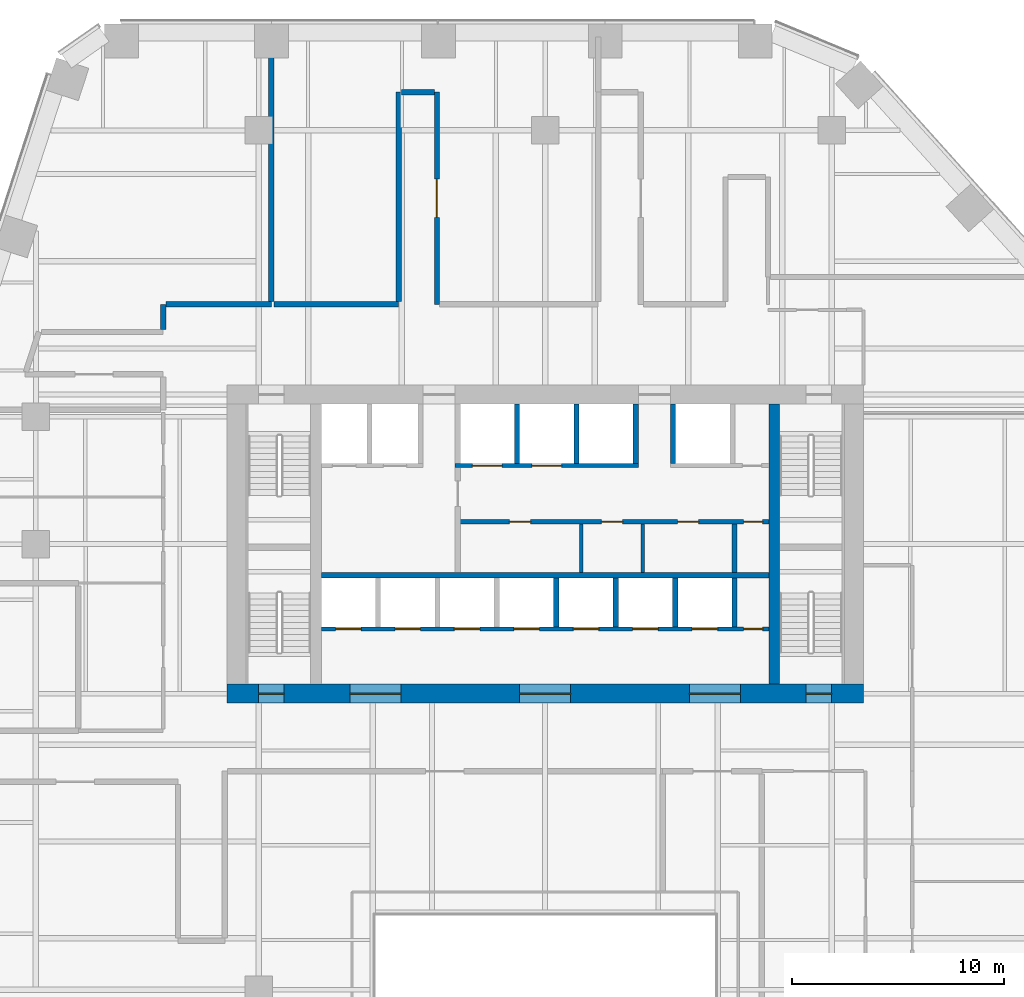
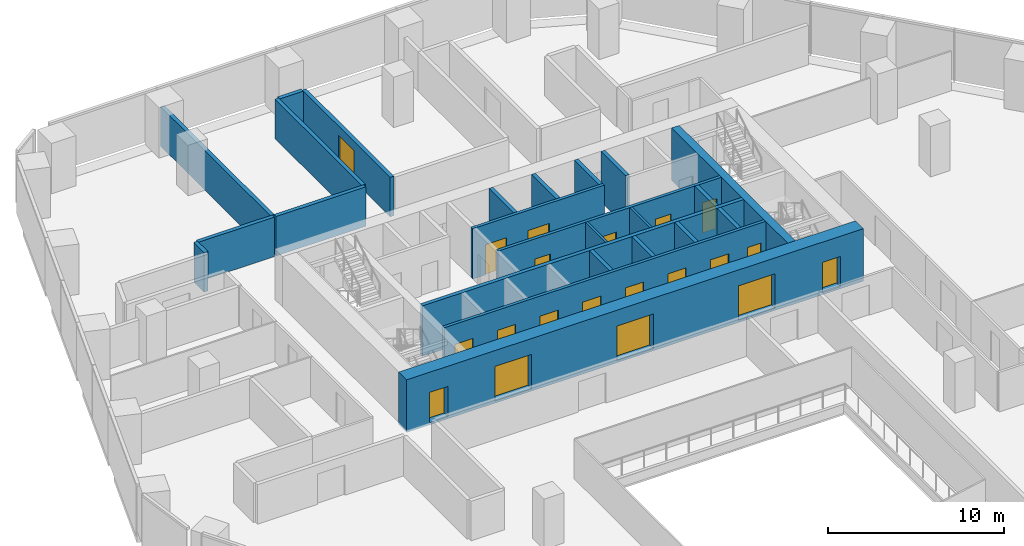
# One storey, part 15 of 21: 24 walls, 20 doors, 20 openings.
"""IFC4 building model written with IfcOpenShell, lengths in metres."""

from ifc_helpers import new_model, si_unit, direction, frame, frame_2d, origin, place, context, subcontext, project, spatial, rectangle, extrude, material, layer, layer_set, type_object, element, fill, save


model = new_model("IFC4")

# Units and contexts
model_context = context("Model", 3, precision=1e-05, world=origin(), true_north=direction((0.0, 1.0)))
body_context = subcontext(model_context, "Body", "Model", "MODEL_VIEW")
ifc_project = project(units=[si_unit("LENGTHUNIT", "METRE"), si_unit("AREAUNIT", "SQUARE_METRE"), si_unit("VOLUMEUNIT", "CUBIC_METRE"), si_unit("PLANEANGLEUNIT", "RADIAN"), si_unit("MASSUNIT", "GRAM", prefix="KILO")], contexts=[model_context])

# Site, building, storey
site_placement = place(None, origin())
site = spatial("IfcSite", under=ifc_project, at=site_placement, CompositionType="ELEMENT")
building_placement = place(site_placement, origin())
building = spatial("IfcBuilding", under=site, at=building_placement, Name="Isthmus Gate Tower", CompositionType="ELEMENT")
storey_placement = place(building_placement, frame((0.0, 0.0, 106.199951171875)))
storey = spatial("IfcBuildingStorey", under=building, at=storey_placement, Name="L25", CompositionType="ELEMENT", Elevation=106.199951171875)

# Wall, opening, door
ifc_material_1 = material(Name="Double-leaf acoustic stud wall, fire-rated", Category="gypsum")
ifc_layer_1 = layer(ifc_material_1, 0.25)
ifc_layer_set_1 = layer_set([ifc_layer_1], Name="ACOUSTIC WALL 250 60 MIN")
wall_type_1 = type_object("IfcWallType", Name="ACOUSTIC WALL 250 60 MIN", PredefinedType="PARTITIONING", material=ifc_layer_set_1)
wall_1_placement = place(storey_placement, frame((-5.10009765625, 28.800048828125, 0.0), z_axis=(0.0, 0.0, 1.0), x_axis=(0.0, -1.0, 0.0)))
wall_1 = element("IfcWall", 1, at=wall_1_placement, inside=storey, type_object=wall_type_1, Name="L25 Acoustic Wall 250 60 Min", PredefinedType="PARTITIONING", context=body_context, shape_type="SweptSolid", body=[
    extrude(rectangle(XDim=10.0, YDim=0.25, at=frame_2d((5.0, 0.0))), origin(), (0.0, 0.0, 1.0), 2.7412109375),
])
opening_1_placement = place(wall_1_placement, frame((4.10009765625, 0.0, 0.0)))
opening_1 = element("IfcOpeningElement", 2, at=opening_1_placement, cuts=wall_1, Name="Opening DT-T2C-02", PredefinedType="OPENING", context=body_context, shape_type="SweptSolid", body=[
    extrude(rectangle(XDim=1.800048828125, YDim=2.10009765625, at=frame_2d((0.89990234375, 1.050048828125))), frame((0.0, 0.135009765625, 0.0), z_axis=(0.0, -1.0, 0.0), x_axis=(1.0, 0.0, 0.0)), (0.0, 0.0, 1.0), 0.27001953125),
])
ifc_material_2 = material(Name="Solid core timber door leaf, fire-rated", Category="wood")
door_type_1 = type_object("IfcDoorType", Name="FIRE DOOR ACOUSTIC ROOM 1800 X 2100 60 MIN", OperationType="DOUBLE_DOOR_DOUBLE_SWING", PredefinedType="DOOR", material=ifc_material_2)
door_1_placement = place(opening_1_placement, origin())
door_1 = element("IfcDoor", 3, at=door_1_placement, inside=storey, type_object=door_type_1, Name="L25 room door", OperationType="DOUBLE_DOOR_DOUBLE_SWING", OverallHeight=2.10009765625, OverallWidth=1.800048828125, PredefinedType="DOOR", context=body_context, shape_type="SweptSolid", body=[
    extrude(rectangle(XDim=1.800048828125, YDim=2.10009765625, at=frame_2d((0.89990234375, 1.050048828125))), frame((0.0, 0.02490234375, 0.0), z_axis=(0.0, -1.0, 0.0), x_axis=(1.0, 0.0, 0.0)), (0.0, 0.0, 1.0), 0.050048828125),
])
fill(opening_1, door_1)

# Walls
wall_2_placement = place(storey_placement, frame((-18.0, 17.625, 0.0), z_axis=(0.0, 0.0, 1.0), x_axis=(0.0, 1.0, 0.0)))
element("IfcWall", 4, at=wall_2_placement, inside=storey, type_object=wall_type_1, Name="L25 Acoustic Wall 250 60 Min", PredefinedType="PARTITIONING", context=body_context, shape_type="SweptSolid", body=[
    extrude(rectangle(XDim=1.175048828125, YDim=0.25, at=frame_2d((0.58740234375, 0.0))), origin(), (0.0, 0.0, 1.0), 2.7412109375),
])
wall_3_placement = place(storey_placement, frame((-17.875, 18.800048828125, 0.0), z_axis=(0.0, 0.0, 1.0), x_axis=(1.0, 0.0, 0.0)))
element("IfcWall", 5, at=wall_3_placement, inside=storey, type_object=wall_type_1, Name="L25 Acoustic Wall 250 60 Min", PredefinedType="PARTITIONING", context=body_context, shape_type="SweptSolid", body=[
    extrude(rectangle(XDim=4.968017578125, YDim=0.25, at=frame_2d((2.48388671875, 0.0))), origin(), (0.0, 0.0, 1.0), 2.7412109375),
])
wall_4_placement = place(storey_placement, frame((-12.906982421875, 18.925048828125, 0.0), z_axis=(0.0, 0.0, 1.0), x_axis=(0.0, 1.0, 0.0)))
element("IfcWall", 6, at=wall_4_placement, inside=storey, type_object=wall_type_1, Name="L25 Acoustic Wall 250 60 Min", PredefinedType="PARTITIONING", context=body_context, shape_type="SweptSolid", body=[
    extrude(rectangle(XDim=12.474853515625, YDim=0.25, at=frame_2d((6.2373046875, 0.0))), origin(), (0.0, 0.0, 1.0), 2.7412109375),
])
wall_5_placement = place(storey_placement, frame((-12.781982421875, 18.800048828125, 0.0), z_axis=(0.0, 0.0, 1.0), x_axis=(1.0, 0.0, 0.0)))
element("IfcWall", 7, at=wall_5_placement, inside=storey, type_object=wall_type_1, Name="L25 Acoustic Wall 250 60 Min", PredefinedType="PARTITIONING", context=body_context, shape_type="SweptSolid", body=[
    extrude(rectangle(XDim=5.882080078125, YDim=0.25, at=frame_2d((2.94091796875, 0.0))), origin(), (0.0, 0.0, 1.0), 2.7412109375),
])
wall_6_placement = place(storey_placement, frame((-6.89990234375, 18.925048828125, 0.0), z_axis=(0.0, 0.0, 1.0), x_axis=(0.0, 1.0, 0.0)))
element("IfcWall", 8, at=wall_6_placement, inside=storey, type_object=wall_type_1, Name="L25 Acoustic Wall 250 60 Min", PredefinedType="PARTITIONING", context=body_context, shape_type="SweptSolid", body=[
    extrude(rectangle(XDim=9.875, YDim=0.25, at=frame_2d((4.9375, 0.0))), origin(), (0.0, 0.0, 1.0), 2.7412109375),
])
wall_7_placement = place(storey_placement, frame((-6.77490234375, 28.800048828125, 0.0), z_axis=(0.0, 0.0, 1.0), x_axis=(1.0, 0.0, 0.0)))
element("IfcWall", 9, at=wall_7_placement, inside=storey, type_object=wall_type_1, Name="L25 Acoustic Wall 250 60 Min", PredefinedType="PARTITIONING", context=body_context, shape_type="SweptSolid", body=[
    extrude(rectangle(XDim=1.5498046875, YDim=0.25, at=frame_2d((0.77490234375, 0.0))), origin(), (0.0, 0.0, 1.0), 2.7412109375),
])
ifc_material_3 = material(Name="Concrete f'c 70 MPa", Category="concrete")
ifc_layer_2 = layer(ifc_material_3, 0.5)
ifc_layer_set_2 = layer_set([ifc_layer_2], Name="RC CORE SPINE WALL 500 F'C 70")
wall_type_2 = type_object("IfcWallType", Name="RC CORE SPINE WALL 500 F'C 70", PredefinedType="SOLIDWALL", material=ifc_layer_set_2)
wall_8_placement = place(storey_placement, frame((10.800048828125, 0.89990234375, -0.14990234375), z_axis=(0.0, 0.0, 1.0), x_axis=(0.0, 1.0, 0.0)))
element("IfcWall", 10, at=wall_8_placement, inside=storey, type_object=wall_type_2, Name="str-corewall-L25-SPE", PredefinedType="SOLIDWALL", context=body_context, shape_type="SweptSolid", body=[
    extrude(rectangle(XDim=13.2001953125, YDim=0.5, at=frame_2d((6.60009765625, 0.0))), origin(), (0.0, 0.0, 1.0), 3.64990234375),
])

# Wall, openings, doors
ifc_material_4 = material(Name="Concrete f'c 70 MPa", Category="concrete")
ifc_layer_3 = layer(ifc_material_4, 0.89990234375)
ifc_layer_set_3 = layer_set([ifc_layer_3], Name="RC CORE WALL 900 F'C 70")
wall_type_3 = type_object("IfcWallType", Name="RC CORE WALL 900 F'C 70", PredefinedType="SOLIDWALL", material=ifc_layer_set_3)
wall_9_placement = place(storey_placement, frame((-15.0, 0.449951171875, -0.14990234375), z_axis=(0.0, 0.0, 1.0), x_axis=(1.0, 0.0, 0.0)))
wall_9 = element("IfcWall", 11, at=wall_9_placement, inside=storey, type_object=wall_type_3, Name="str-corewall-L25-S", PredefinedType="SOLIDWALL", context=body_context, shape_type="SweptSolid", body=[
    extrude(rectangle(XDim=30.0, YDim=0.89990234375, at=frame_2d((15.0, 0.0))), origin(), (0.0, 0.0, 1.0), 3.64990234375),
])
opening_2_placement = place(wall_9_placement, frame((5.800048828125, 0.0, 0.14990234375)))
opening_2 = element("IfcOpeningElement", 12, at=opening_2_placement, cuts=wall_9, Name="Opening DC-A02-08", PredefinedType="OPENING", context=body_context, shape_type="SweptSolid", body=[
    extrude(rectangle(XDim=2.39990234375, YDim=2.39990234375, at=frame_2d((1.199951171875, 1.199951171875))), frame((0.0, 0.4599609375, 0.0), z_axis=(0.0, -1.0, 0.0), x_axis=(1.0, 0.0, 0.0)), (0.0, 0.0, 1.0), 0.919921875),
])
opening_3_placement = place(wall_9_placement, frame((13.800048828125, 0.0, 0.14990234375)))
opening_3 = element("IfcOpeningElement", 13, at=opening_3_placement, cuts=wall_9, Name="Opening DC-A02-09", PredefinedType="OPENING", context=body_context, shape_type="SweptSolid", body=[
    extrude(rectangle(XDim=2.39990234375, YDim=2.39990234375, at=frame_2d((1.199951171875, 1.199951171875))), frame((0.0, 0.4599609375, 0.0), z_axis=(0.0, -1.0, 0.0), x_axis=(1.0, 0.0, 0.0)), (0.0, 0.0, 1.0), 0.919921875),
])
opening_4_placement = place(wall_9_placement, frame((21.800048828125, 0.0, 0.14990234375)))
opening_4 = element("IfcOpeningElement", 14, at=opening_4_placement, cuts=wall_9, Name="Opening DC-A02-10", PredefinedType="OPENING", context=body_context, shape_type="SweptSolid", body=[
    extrude(rectangle(XDim=2.39990234375, YDim=2.39990234375, at=frame_2d((1.199951171875, 1.199951171875))), frame((0.0, 0.4599609375, 0.0), z_axis=(0.0, -1.0, 0.0), x_axis=(1.0, 0.0, 0.0)), (0.0, 0.0, 1.0), 0.919921875),
])
opening_5_placement = place(wall_9_placement, frame((1.5, 0.0, 0.14990234375)))
opening_5 = element("IfcOpeningElement", 15, at=opening_5_placement, cuts=wall_9, Name="Opening DC-A02-15", PredefinedType="OPENING", context=body_context, shape_type="SweptSolid", body=[
    extrude(rectangle(XDim=1.199951171875, YDim=2.10009765625, at=frame_2d((0.60009765625, 1.050048828125))), frame((0.0, 0.4599609375, 0.0), z_axis=(0.0, -1.0, 0.0), x_axis=(1.0, 0.0, 0.0)), (0.0, 0.0, 1.0), 0.919921875),
])
opening_6_placement = place(wall_9_placement, frame((27.300048828125, 0.0, 0.14990234375)))
opening_6 = element("IfcOpeningElement", 16, at=opening_6_placement, cuts=wall_9, Name="Opening DC-A02-16", PredefinedType="OPENING", context=body_context, shape_type="SweptSolid", body=[
    extrude(rectangle(XDim=1.199951171875, YDim=2.10009765625, at=frame_2d((0.60009765625, 1.050048828125))), frame((0.0, 0.4599609375, 0.0), z_axis=(0.0, -1.0, 0.0), x_axis=(1.0, 0.0, 0.0)), (0.0, 0.0, 1.0), 0.919921875),
])
ifc_material_5 = material(Name="Laminated safety glass in steel frame, fire-rated", Category="steel")
door_type_2 = type_object("IfcDoorType", Name="LOBBY ENTRANCE FIRE DOOR 2400 X 2400 60 MIN", OperationType="DOUBLE_DOOR_DOUBLE_SWING", PredefinedType="DOOR", material=ifc_material_5)
door_2_placement = place(opening_2_placement, origin())
door_2 = element("IfcDoor", 17, at=door_2_placement, inside=storey, type_object=door_type_2, Name="Lobby Entrance PS-W", OperationType="DOUBLE_DOOR_DOUBLE_SWING", OverallHeight=2.39990234375, OverallWidth=2.39990234375, PredefinedType="DOOR", context=body_context, shape_type="SweptSolid", body=[
    extrude(rectangle(XDim=2.39990234375, YDim=2.39990234375, at=frame_2d((1.199951171875, 1.199951171875))), frame((0.0, 0.02490234375, 0.0), z_axis=(0.0, -1.0, 0.0), x_axis=(1.0, 0.0, 0.0)), (0.0, 0.0, 1.0), 0.050048828125),
])
fill(opening_2, door_2)
door_3_placement = place(opening_3_placement, origin())
door_3 = element("IfcDoor", 18, at=door_3_placement, inside=storey, type_object=door_type_2, Name="Lobby Entrance PS-C", OperationType="DOUBLE_DOOR_DOUBLE_SWING", OverallHeight=2.39990234375, OverallWidth=2.39990234375, PredefinedType="DOOR", context=body_context, shape_type="SweptSolid", body=[
    extrude(rectangle(XDim=2.39990234375, YDim=2.39990234375, at=frame_2d((1.199951171875, 1.199951171875))), frame((0.0, 0.02490234375, 0.0), z_axis=(0.0, -1.0, 0.0), x_axis=(1.0, 0.0, 0.0)), (0.0, 0.0, 1.0), 0.050048828125),
])
fill(opening_3, door_3)
door_4_placement = place(opening_4_placement, origin())
door_4 = element("IfcDoor", 19, at=door_4_placement, inside=storey, type_object=door_type_2, Name="Lobby Entrance PS-E", OperationType="DOUBLE_DOOR_DOUBLE_SWING", OverallHeight=2.39990234375, OverallWidth=2.39990234375, PredefinedType="DOOR", context=body_context, shape_type="SweptSolid", body=[
    extrude(rectangle(XDim=2.39990234375, YDim=2.39990234375, at=frame_2d((1.199951171875, 1.199951171875))), frame((0.0, 0.02490234375, 0.0), z_axis=(0.0, -1.0, 0.0), x_axis=(1.0, 0.0, 0.0)), (0.0, 0.0, 1.0), 0.050048828125),
])
fill(opening_4, door_4)
ifc_material_6 = material(Name="Steel door leaf, fire-rated", Category="steel")
door_type_3 = type_object("IfcDoorType", Name="STAIR FIRE DOOR 1200 X 2100 90 MIN", OperationType="SINGLE_SWING_LEFT", PredefinedType="DOOR", material=ifc_material_6)
door_5_placement = place(opening_5_placement, origin())
door_5 = element("IfcDoor", 20, at=door_5_placement, inside=storey, type_object=door_type_3, Name="Exit Stair 7 Door", OperationType="SINGLE_SWING_LEFT", OverallHeight=2.10009765625, OverallWidth=1.199951171875, PredefinedType="DOOR", context=body_context, shape_type="SweptSolid", body=[
    extrude(rectangle(XDim=1.199951171875, YDim=2.10009765625, at=frame_2d((0.60009765625, 1.050048828125))), frame((0.0, 0.02490234375, 0.0), z_axis=(0.0, -1.0, 0.0), x_axis=(1.0, 0.0, 0.0)), (0.0, 0.0, 1.0), 0.050048828125),
])
fill(opening_5, door_5)
door_6_placement = place(opening_6_placement, origin())
door_6 = element("IfcDoor", 21, at=door_6_placement, inside=storey, type_object=door_type_3, Name="Exit Stair 8 Door", OperationType="SINGLE_SWING_RIGHT", OverallHeight=2.10009765625, OverallWidth=1.199951171875, PredefinedType="DOOR", context=body_context, shape_type="SweptSolid", body=[
    extrude(rectangle(XDim=1.199951171875, YDim=2.10009765625, at=frame_2d((0.60009765625, 1.050048828125))), frame((0.0, 0.02490234375, 0.0), z_axis=(0.0, -1.0, 0.0), x_axis=(1.0, 0.0, 0.0)), (0.0, 0.0, 1.0), 0.050048828125),
])
fill(opening_6, door_6)

# Walls
ifc_material_7 = material(Name="Gypsum board on steel studs, fire-rated", Category="steel")
ifc_layer_4 = layer(ifc_material_7, 0.14990234375)
ifc_layer_set_4 = layer_set([ifc_layer_4], Name="ROOM PARTITION 150 60 MIN")
wall_type_4 = type_object("IfcWallType", Name="ROOM PARTITION 150 60 MIN", PredefinedType="PARTITIONING", material=ifc_layer_set_4)
for number, where, z_axis, x_axis, name in (
    (22, (1.699951171875, 6.14990234375, 0.0), (0.0, 0.0, 1.0), (0.0, 1.0, 0.0), "L25 ROOM PARTITION 150 60 MIN"),
    (23, (4.60009765625, 6.14990234375, 0.0), (0.0, 0.0, 1.0), (0.0, 1.0, 0.0), "L25 ROOM PARTITION 150 60 MIN"),
):
    element("IfcWall", number, at=place(storey_placement, frame(where, z_axis=z_axis, x_axis=x_axis)), inside=storey, type_object=wall_type_4, Name=name, PredefinedType="PARTITIONING", context=body_context, shape_type="SweptSolid", body=[
        extrude(rectangle(XDim=2.300048828125, YDim=0.14990234375, at=frame_2d((1.14990234375, 0.0))), origin(), (0.0, 0.0, 1.0), 3.5),
    ])

# Wall, openings, doors
ifc_material_8 = material(Name="Fire-rated blockwork masonry, 15 MPa", Category="masonry")
ifc_layer_5 = layer(ifc_material_8, 0.199951171875)
ifc_layer_set_5 = layer_set([ifc_layer_5], Name="SHAFT FRONT WALL 200 120 MIN")
wall_type_5 = type_object("IfcWallType", Name="SHAFT FRONT WALL 200 120 MIN", PredefinedType="PARTITIONING", material=ifc_layer_set_5)
wall_10_placement = place(storey_placement, frame((-10.550048828125, 3.5, 0.0), z_axis=(0.0, 0.0, 1.0), x_axis=(1.0, 0.0, 0.0)))
wall_10 = element("IfcWall", 24, at=wall_10_placement, inside=storey, type_object=wall_type_5, Name="L25 SHAFT FRONT WALL 200 120 MIN", PredefinedType="PARTITIONING", context=body_context, shape_type="SweptSolid", body=[
    extrude(rectangle(XDim=21.10009765625, YDim=0.199951171875, at=frame_2d((10.550048828125, 0.0))), origin(), (0.0, 0.0, 1.0), 3.5),
])
opening_7_placement = place(wall_10_placement, frame((0.675048828125, 0.0, 0.0)))
opening_7 = element("IfcOpeningElement", 25, at=opening_7_placement, cuts=wall_10, Name="Opening LD-LA1", PredefinedType="OPENING", context=body_context, shape_type="SweptSolid", body=[
    extrude(rectangle(XDim=1.199951171875, YDim=2.10009765625, at=frame_2d((0.60009765625, 1.050048828125))), frame((0.0, 0.10986328125, 0.0), z_axis=(0.0, -1.0, 0.0), x_axis=(1.0, 0.0, 0.0)), (0.0, 0.0, 1.0), 0.219970703125),
])
opening_8_placement = place(wall_10_placement, frame((3.47509765625, 0.0, 0.0)))
opening_8 = element("IfcOpeningElement", 26, at=opening_8_placement, cuts=wall_10, Name="Opening LD-LA2", PredefinedType="OPENING", context=body_context, shape_type="SweptSolid", body=[
    extrude(rectangle(XDim=1.199951171875, YDim=2.10009765625, at=frame_2d((0.60009765625, 1.050048828125))), frame((0.0, 0.10986328125, 0.0), z_axis=(0.0, -1.0, 0.0), x_axis=(1.0, 0.0, 0.0)), (0.0, 0.0, 1.0), 0.219970703125),
])
opening_9_placement = place(wall_10_placement, frame((6.27490234375, 0.0, 0.0)))
opening_9 = element("IfcOpeningElement", 27, at=opening_9_placement, cuts=wall_10, Name="Opening LD-LA3", PredefinedType="OPENING", context=body_context, shape_type="SweptSolid", body=[
    extrude(rectangle(XDim=1.199951171875, YDim=2.10009765625, at=frame_2d((0.60009765625, 1.050048828125))), frame((0.0, 0.10986328125, 0.0), z_axis=(0.0, -1.0, 0.0), x_axis=(1.0, 0.0, 0.0)), (0.0, 0.0, 1.0), 0.219970703125),
])
opening_10_placement = place(wall_10_placement, frame((9.074951171875, 0.0, 0.0)))
opening_10 = element("IfcOpeningElement", 28, at=opening_10_placement, cuts=wall_10, Name="Opening LD-LA4", PredefinedType="OPENING", context=body_context, shape_type="SweptSolid", body=[
    extrude(rectangle(XDim=1.199951171875, YDim=2.10009765625, at=frame_2d((0.60009765625, 1.050048828125))), frame((0.0, 0.10986328125, 0.0), z_axis=(0.0, -1.0, 0.0), x_axis=(1.0, 0.0, 0.0)), (0.0, 0.0, 1.0), 0.219970703125),
])
opening_11_placement = place(wall_10_placement, frame((11.875, 0.0, 0.0)))
opening_11 = element("IfcOpeningElement", 29, at=opening_11_placement, cuts=wall_10, Name="Opening LD-LA5", PredefinedType="OPENING", context=body_context, shape_type="SweptSolid", body=[
    extrude(rectangle(XDim=1.199951171875, YDim=2.10009765625, at=frame_2d((0.60009765625, 1.050048828125))), frame((0.0, 0.10986328125, 0.0), z_axis=(0.0, -1.0, 0.0), x_axis=(1.0, 0.0, 0.0)), (0.0, 0.0, 1.0), 0.219970703125),
])
opening_12_placement = place(wall_10_placement, frame((14.675048828125, 0.0, 0.0)))
opening_12 = element("IfcOpeningElement", 30, at=opening_12_placement, cuts=wall_10, Name="Opening LD-LA6", PredefinedType="OPENING", context=body_context, shape_type="SweptSolid", body=[
    extrude(rectangle(XDim=1.199951171875, YDim=2.10009765625, at=frame_2d((0.60009765625, 1.050048828125))), frame((0.0, 0.10986328125, 0.0), z_axis=(0.0, -1.0, 0.0), x_axis=(1.0, 0.0, 0.0)), (0.0, 0.0, 1.0), 0.219970703125),
])
opening_13_placement = place(wall_10_placement, frame((17.47509765625, 0.0, 0.0)))
opening_13 = element("IfcOpeningElement", 31, at=opening_13_placement, cuts=wall_10, Name="Opening LD-LA7", PredefinedType="OPENING", context=body_context, shape_type="SweptSolid", body=[
    extrude(rectangle(XDim=1.199951171875, YDim=2.10009765625, at=frame_2d((0.60009765625, 1.050048828125))), frame((0.0, 0.10986328125, 0.0), z_axis=(0.0, -1.0, 0.0), x_axis=(1.0, 0.0, 0.0)), (0.0, 0.0, 1.0), 0.219970703125),
])
opening_14_placement = place(wall_10_placement, frame((19.89990234375, 0.0, 0.0)))
opening_14 = element("IfcOpeningElement", 32, at=opening_14_placement, cuts=wall_10, Name="Opening DC-A02-02", PredefinedType="OPENING", context=body_context, shape_type="SweptSolid", body=[
    extrude(rectangle(XDim=0.89990234375, YDim=2.10009765625, at=frame_2d((0.449951171875, 1.050048828125))), frame((0.0, 0.10986328125, 0.0), z_axis=(0.0, -1.0, 0.0), x_axis=(1.0, 0.0, 0.0)), (0.0, 0.0, 1.0), 0.219970703125),
])
ifc_material_9 = material(Name="Stainless steel sliding leaf", Category="steel")
door_type_4 = type_object("IfcDoorType", Name="LIFT LANDING FIRE DOOR 1200 X 2100 90 MIN", OperationType="DOUBLE_DOOR_SLIDING", PredefinedType="DOOR", material=ifc_material_9)
door_7_placement = place(opening_7_placement, origin())
door_7 = element("IfcDoor", 33, at=door_7_placement, inside=storey, type_object=door_type_4, Name="Lift Landing Door LA1", OperationType="DOUBLE_DOOR_SLIDING", OverallHeight=2.10009765625, OverallWidth=1.199951171875, PredefinedType="DOOR", context=body_context, shape_type="SweptSolid", body=[
    extrude(rectangle(XDim=1.199951171875, YDim=2.10009765625, at=frame_2d((0.60009765625, 1.050048828125))), frame((0.0, 0.02490234375, 0.0), z_axis=(0.0, -1.0, 0.0), x_axis=(1.0, 0.0, 0.0)), (0.0, 0.0, 1.0), 0.050048828125),
])
fill(opening_7, door_7)
door_8_placement = place(opening_8_placement, origin())
door_8 = element("IfcDoor", 34, at=door_8_placement, inside=storey, type_object=door_type_4, Name="Lift Landing Door LA2", OperationType="DOUBLE_DOOR_SLIDING", OverallHeight=2.10009765625, OverallWidth=1.199951171875, PredefinedType="DOOR", context=body_context, shape_type="SweptSolid", body=[
    extrude(rectangle(XDim=1.199951171875, YDim=2.10009765625, at=frame_2d((0.60009765625, 1.050048828125))), frame((0.0, 0.02490234375, 0.0), z_axis=(0.0, -1.0, 0.0), x_axis=(1.0, 0.0, 0.0)), (0.0, 0.0, 1.0), 0.050048828125),
])
fill(opening_8, door_8)
door_9_placement = place(opening_9_placement, origin())
door_9 = element("IfcDoor", 35, at=door_9_placement, inside=storey, type_object=door_type_4, Name="Lift Landing Door LA3", OperationType="DOUBLE_DOOR_SLIDING", OverallHeight=2.10009765625, OverallWidth=1.199951171875, PredefinedType="DOOR", context=body_context, shape_type="SweptSolid", body=[
    extrude(rectangle(XDim=1.199951171875, YDim=2.10009765625, at=frame_2d((0.60009765625, 1.050048828125))), frame((0.0, 0.02490234375, 0.0), z_axis=(0.0, -1.0, 0.0), x_axis=(1.0, 0.0, 0.0)), (0.0, 0.0, 1.0), 0.050048828125),
])
fill(opening_9, door_9)
door_10_placement = place(opening_10_placement, origin())
door_10 = element("IfcDoor", 36, at=door_10_placement, inside=storey, type_object=door_type_4, Name="Lift Landing Door LA4", OperationType="DOUBLE_DOOR_SLIDING", OverallHeight=2.10009765625, OverallWidth=1.199951171875, PredefinedType="DOOR", context=body_context, shape_type="SweptSolid", body=[
    extrude(rectangle(XDim=1.199951171875, YDim=2.10009765625, at=frame_2d((0.60009765625, 1.050048828125))), frame((0.0, 0.02490234375, 0.0), z_axis=(0.0, -1.0, 0.0), x_axis=(1.0, 0.0, 0.0)), (0.0, 0.0, 1.0), 0.050048828125),
])
fill(opening_10, door_10)
door_11_placement = place(opening_11_placement, origin())
door_11 = element("IfcDoor", 37, at=door_11_placement, inside=storey, type_object=door_type_4, Name="Lift Landing Door LA5", OperationType="DOUBLE_DOOR_SLIDING", OverallHeight=2.10009765625, OverallWidth=1.199951171875, PredefinedType="DOOR", context=body_context, shape_type="SweptSolid", body=[
    extrude(rectangle(XDim=1.199951171875, YDim=2.10009765625, at=frame_2d((0.60009765625, 1.050048828125))), frame((0.0, 0.02490234375, 0.0), z_axis=(0.0, -1.0, 0.0), x_axis=(1.0, 0.0, 0.0)), (0.0, 0.0, 1.0), 0.050048828125),
])
fill(opening_11, door_11)
door_12_placement = place(opening_12_placement, origin())
door_12 = element("IfcDoor", 38, at=door_12_placement, inside=storey, type_object=door_type_4, Name="Lift Landing Door LA6", OperationType="DOUBLE_DOOR_SLIDING", OverallHeight=2.10009765625, OverallWidth=1.199951171875, PredefinedType="DOOR", context=body_context, shape_type="SweptSolid", body=[
    extrude(rectangle(XDim=1.199951171875, YDim=2.10009765625, at=frame_2d((0.60009765625, 1.050048828125))), frame((0.0, 0.02490234375, 0.0), z_axis=(0.0, -1.0, 0.0), x_axis=(1.0, 0.0, 0.0)), (0.0, 0.0, 1.0), 0.050048828125),
])
fill(opening_12, door_12)
door_13_placement = place(opening_13_placement, origin())
door_13 = element("IfcDoor", 39, at=door_13_placement, inside=storey, type_object=door_type_4, Name="Lift Landing Door LA7", OperationType="DOUBLE_DOOR_SLIDING", OverallHeight=2.10009765625, OverallWidth=1.199951171875, PredefinedType="DOOR", context=body_context, shape_type="SweptSolid", body=[
    extrude(rectangle(XDim=1.199951171875, YDim=2.10009765625, at=frame_2d((0.60009765625, 1.050048828125))), frame((0.0, 0.02490234375, 0.0), z_axis=(0.0, -1.0, 0.0), x_axis=(1.0, 0.0, 0.0)), (0.0, 0.0, 1.0), 0.050048828125),
])
fill(opening_13, door_13)
ifc_material_10 = material(Name="Steel door leaf, fire-rated", Category="steel")
door_type_5 = type_object("IfcDoorType", Name="RISER FIRE DOOR 900 X 2100 90 MIN", OperationType="SINGLE_SWING_LEFT", PredefinedType="DOOR", material=ifc_material_10)
door_14_placement = place(opening_14_placement, origin())
door_14 = element("IfcDoor", 40, at=door_14_placement, inside=storey, type_object=door_type_5, Name="Riser Door", OperationType="SINGLE_SWING_RIGHT", OverallHeight=2.10009765625, OverallWidth=0.89990234375, PredefinedType="DOOR", context=body_context, shape_type="SweptSolid", body=[
    extrude(rectangle(XDim=0.89990234375, YDim=2.10009765625, at=frame_2d((0.449951171875, 1.050048828125))), frame((0.0, 0.02490234375, 0.0), z_axis=(0.0, -1.0, 0.0), x_axis=(1.0, 0.0, 0.0)), (0.0, 0.0, 1.0), 0.050048828125),
])
fill(opening_14, door_14)

wall_11_placement = place(storey_placement, frame((-4.125, 8.550048828125, 0.0), z_axis=(0.0, 0.0, 1.0), x_axis=(1.0, 0.0, 0.0)))
wall_11 = element("IfcWall", 41, at=wall_11_placement, inside=storey, type_object=wall_type_5, Name="L25 SHAFT FRONT WALL 200 120 MIN", PredefinedType="PARTITIONING", context=body_context, shape_type="SweptSolid", body=[
    extrude(rectangle(XDim=14.675048828125, YDim=0.199951171875, at=frame_2d((7.33740234375, 0.0))), origin(), (0.0, 0.0, 1.0), 3.5),
])
opening_15_placement = place(wall_11_placement, frame((2.4375, 0.0, 0.0)))
opening_15 = element("IfcOpeningElement", 42, at=opening_15_placement, cuts=wall_11, Name="Opening DC-A02-03", PredefinedType="OPENING", context=body_context, shape_type="SweptSolid", body=[
    extrude(rectangle(XDim=1.0, YDim=2.10009765625, at=frame_2d((0.5, 1.050048828125))), frame((0.0, 0.10986328125, 0.0), z_axis=(0.0, -1.0, 0.0), x_axis=(1.0, 0.0, 0.0)), (0.0, 0.0, 1.0), 0.219970703125),
])
opening_16_placement = place(wall_11_placement, frame((6.77490234375, 0.0, 0.0)))
opening_16 = element("IfcOpeningElement", 43, at=opening_16_placement, cuts=wall_11, Name="Opening DC-A02-04", PredefinedType="OPENING", context=body_context, shape_type="SweptSolid", body=[
    extrude(rectangle(XDim=1.0, YDim=2.10009765625, at=frame_2d((0.5, 1.050048828125))), frame((0.0, 0.10986328125, 0.0), z_axis=(0.0, -1.0, 0.0), x_axis=(1.0, 0.0, 0.0)), (0.0, 0.0, 1.0), 0.219970703125),
])
opening_17_placement = place(wall_11_placement, frame((10.362548828125, 0.0, 0.0)))
opening_17 = element("IfcOpeningElement", 44, at=opening_17_placement, cuts=wall_11, Name="Opening DC-A02-05", PredefinedType="OPENING", context=body_context, shape_type="SweptSolid", body=[
    extrude(rectangle(XDim=1.0, YDim=2.10009765625, at=frame_2d((0.5, 1.050048828125))), frame((0.0, 0.10986328125, 0.0), z_axis=(0.0, -1.0, 0.0), x_axis=(1.0, 0.0, 0.0)), (0.0, 0.0, 1.0), 0.219970703125),
])
opening_18_placement = place(wall_11_placement, frame((13.47509765625, 0.0, 0.0)))
opening_18 = element("IfcOpeningElement", 45, at=opening_18_placement, cuts=wall_11, Name="Opening DC-A02-06", PredefinedType="OPENING", context=body_context, shape_type="SweptSolid", body=[
    extrude(rectangle(XDim=0.89990234375, YDim=2.10009765625, at=frame_2d((0.449951171875, 1.050048828125))), frame((0.0, 0.10986328125, 0.0), z_axis=(0.0, -1.0, 0.0), x_axis=(1.0, 0.0, 0.0)), (0.0, 0.0, 1.0), 0.219970703125),
])
ifc_material_11 = material(Name="Steel door leaf, fire-rated", Category="steel")
door_type_6 = type_object("IfcDoorType", Name="FIRE DOOR 1000 X 2100 60 MIN", OperationType="SINGLE_SWING_LEFT", PredefinedType="DOOR", material=ifc_material_11)
door_15_placement = place(opening_15_placement, origin())
door_15 = element("IfcDoor", 46, at=door_15_placement, inside=storey, type_object=door_type_6, Name="WC Women Door", OperationType="SINGLE_SWING_LEFT", OverallHeight=2.10009765625, OverallWidth=1.0, PredefinedType="DOOR", context=body_context, shape_type="SweptSolid", body=[
    extrude(rectangle(XDim=1.0, YDim=2.10009765625, at=frame_2d((0.5, 1.050048828125))), frame((0.0, 0.02490234375, 0.0), z_axis=(0.0, -1.0, 0.0), x_axis=(1.0, 0.0, 0.0)), (0.0, 0.0, 1.0), 0.050048828125),
])
fill(opening_15, door_15)
door_16_placement = place(opening_16_placement, origin())
door_16 = element("IfcDoor", 47, at=door_16_placement, inside=storey, type_object=door_type_6, Name="Accessible WC Door", OperationType="SINGLE_SWING_RIGHT", OverallHeight=2.10009765625, OverallWidth=1.0, PredefinedType="DOOR", context=body_context, shape_type="SweptSolid", body=[
    extrude(rectangle(XDim=1.0, YDim=2.10009765625, at=frame_2d((0.5, 1.050048828125))), frame((0.0, 0.02490234375, 0.0), z_axis=(0.0, -1.0, 0.0), x_axis=(1.0, 0.0, 0.0)), (0.0, 0.0, 1.0), 0.050048828125),
])
fill(opening_16, door_16)
door_17_placement = place(opening_17_placement, origin())
door_17 = element("IfcDoor", 48, at=door_17_placement, inside=storey, type_object=door_type_6, Name="WC Men Door", OperationType="SINGLE_SWING_LEFT", OverallHeight=2.10009765625, OverallWidth=1.0, PredefinedType="DOOR", context=body_context, shape_type="SweptSolid", body=[
    extrude(rectangle(XDim=1.0, YDim=2.10009765625, at=frame_2d((0.5, 1.050048828125))), frame((0.0, 0.02490234375, 0.0), z_axis=(0.0, -1.0, 0.0), x_axis=(1.0, 0.0, 0.0)), (0.0, 0.0, 1.0), 0.050048828125),
])
fill(opening_17, door_17)
door_18_placement = place(opening_18_placement, origin())
door_18 = element("IfcDoor", 49, at=door_18_placement, inside=storey, type_object=door_type_5, Name="Riser Door", OperationType="SINGLE_SWING_RIGHT", OverallHeight=2.10009765625, OverallWidth=0.89990234375, PredefinedType="DOOR", context=body_context, shape_type="SweptSolid", body=[
    extrude(rectangle(XDim=0.89990234375, YDim=2.10009765625, at=frame_2d((0.449951171875, 1.050048828125))), frame((0.0, 0.02490234375, 0.0), z_axis=(0.0, -1.0, 0.0), x_axis=(1.0, 0.0, 0.0)), (0.0, 0.0, 1.0), 0.050048828125),
])
fill(opening_18, door_18)

wall_12_placement = place(storey_placement, frame((-4.25, 11.199951171875, 0.0), z_axis=(0.0, 0.0, 1.0), x_axis=(1.0, 0.0, 0.0)))
wall_12 = element("IfcWall", 50, at=wall_12_placement, inside=storey, type_object=wall_type_5, Name="L25 SHAFT FRONT WALL 200 120 MIN", PredefinedType="PARTITIONING", context=body_context, shape_type="SweptSolid", body=[
    extrude(rectangle(XDim=8.64990234375, YDim=0.199951171875, at=frame_2d((4.324951171875, 0.0))), origin(), (0.0, 0.0, 1.0), 3.5),
])
opening_19_placement = place(wall_12_placement, frame((0.824951171875, 0.0, 0.0)))
opening_19 = element("IfcOpeningElement", 51, at=opening_19_placement, cuts=wall_12, Name="Opening LD-LV1", PredefinedType="OPENING", context=body_context, shape_type="SweptSolid", body=[
    extrude(rectangle(XDim=1.39990234375, YDim=2.10009765625, at=frame_2d((0.699951171875, 1.050048828125))), frame((0.0, 0.10986328125, 0.0), z_axis=(0.0, -1.0, 0.0), x_axis=(1.0, 0.0, 0.0)), (0.0, 0.0, 1.0), 0.219970703125),
])
opening_20_placement = place(wall_12_placement, frame((3.625, 0.0, 0.0)))
opening_20 = element("IfcOpeningElement", 52, at=opening_20_placement, cuts=wall_12, Name="Opening LD-LV2", PredefinedType="OPENING", context=body_context, shape_type="SweptSolid", body=[
    extrude(rectangle(XDim=1.39990234375, YDim=2.10009765625, at=frame_2d((0.699951171875, 1.050048828125))), frame((0.0, 0.10986328125, 0.0), z_axis=(0.0, -1.0, 0.0), x_axis=(1.0, 0.0, 0.0)), (0.0, 0.0, 1.0), 0.219970703125),
])
ifc_material_12 = material(Name="Stainless steel sliding leaf", Category="steel")
door_type_7 = type_object("IfcDoorType", Name="LIFT LANDING FIRE DOOR 1400 X 2100 90 MIN", OperationType="DOUBLE_DOOR_SLIDING", PredefinedType="DOOR", material=ifc_material_12)
door_19_placement = place(opening_19_placement, origin())
door_19 = element("IfcDoor", 53, at=door_19_placement, inside=storey, type_object=door_type_7, Name="Lift Landing Door LV1", OperationType="DOUBLE_DOOR_SLIDING", OverallHeight=2.10009765625, OverallWidth=1.39990234375, PredefinedType="DOOR", context=body_context, shape_type="SweptSolid", body=[
    extrude(rectangle(XDim=1.39990234375, YDim=2.10009765625, at=frame_2d((0.699951171875, 1.050048828125))), frame((0.0, 0.02490234375, 0.0), z_axis=(0.0, -1.0, 0.0), x_axis=(1.0, 0.0, 0.0)), (0.0, 0.0, 1.0), 0.050048828125),
])
fill(opening_19, door_19)
door_20_placement = place(opening_20_placement, origin())
door_20 = element("IfcDoor", 54, at=door_20_placement, inside=storey, type_object=door_type_7, Name="Lift Landing Door LV2", OperationType="DOUBLE_DOOR_SLIDING", OverallHeight=2.10009765625, OverallWidth=1.39990234375, PredefinedType="DOOR", context=body_context, shape_type="SweptSolid", body=[
    extrude(rectangle(XDim=1.39990234375, YDim=2.10009765625, at=frame_2d((0.699951171875, 1.050048828125))), frame((0.0, 0.02490234375, 0.0), z_axis=(0.0, -1.0, 0.0), x_axis=(1.0, 0.0, 0.0)), (0.0, 0.0, 1.0), 0.050048828125),
])
fill(opening_20, door_20)

# Walls
ifc_material_13 = material(Name="Fire-rated blockwork masonry, 15 MPa", Category="masonry")
ifc_layer_6 = layer(ifc_material_13, 0.25)
ifc_layer_set_6 = layer_set([ifc_layer_6], Name="SHAFT WALL 250 120 MIN")
wall_type_6 = type_object("IfcWallType", Name="SHAFT WALL 250 120 MIN", PredefinedType="PARTITIONING", material=ifc_layer_set_6)
wall_13_placement = place(storey_placement, frame((-10.550048828125, 6.02490234375, 0.0), z_axis=(0.0, 0.0, 1.0), x_axis=(1.0, 0.0, 0.0)))
element("IfcWall", 55, at=wall_13_placement, inside=storey, type_object=wall_type_6, Name="L25 SHAFT WALL 250 120 MIN", PredefinedType="PARTITIONING", context=body_context, shape_type="SweptSolid", body=[
    extrude(rectangle(XDim=21.10009765625, YDim=0.25, at=frame_2d((10.550048828125, 0.0))), origin(), (0.0, 0.0, 1.0), 3.5),
])
for number, where, z_axis, x_axis, name in (
    (56, (0.52490234375, 3.60009765625, 0.0), (0.0, 0.0, 1.0), (0.0, 1.0, 0.0), "L25 SHAFT WALL 250 120 MIN"),
    (57, (3.324951171875, 3.60009765625, 0.0), (0.0, 0.0, 1.0), (0.0, 1.0, 0.0), "L25 SHAFT WALL 250 120 MIN"),
    (58, (6.125, 3.60009765625, 0.0), (0.0, 0.0, 1.0), (0.0, 1.0, 0.0), "L25 SHAFT WALL 250 120 MIN"),
    (59, (8.925048828125, 3.60009765625, 0.0), (0.0, 0.0, 1.0), (0.0, 1.0, 0.0), "L25 SHAFT WALL 250 120 MIN"),
):
    element("IfcWall", number, at=place(storey_placement, frame(where, z_axis=z_axis, x_axis=x_axis)), inside=storey, type_object=wall_type_6, Name=name, PredefinedType="PARTITIONING", context=body_context, shape_type="SweptSolid", body=[
        extrude(rectangle(XDim=2.2998046875, YDim=0.25, at=frame_2d((1.14990234375, 0.0))), origin(), (0.0, 0.0, 1.0), 3.5),
    ])
wall_14_placement = place(storey_placement, frame((8.925048828125, 6.14990234375, 0.0), z_axis=(0.0, 0.0, 1.0), x_axis=(0.0, 1.0, 0.0)))
element("IfcWall", 60, at=wall_14_placement, inside=storey, type_object=wall_type_6, Name="L25 SHAFT WALL 250 120 MIN", PredefinedType="PARTITIONING", context=body_context, shape_type="SweptSolid", body=[
    extrude(rectangle(XDim=2.300048828125, YDim=0.25, at=frame_2d((1.14990234375, 0.0))), origin(), (0.0, 0.0, 1.0), 3.5),
])
for number, where, z_axis, x_axis, name in (
    (61, (-1.324951171875, 11.300048828125, 0.0), (0.0, 0.0, 1.0), (0.0, 1.0, 0.0), "L25 SHAFT WALL 250 120 MIN"),
    (62, (1.47509765625, 11.300048828125, 0.0), (0.0, 0.0, 1.0), (0.0, 1.0, 0.0), "L25 SHAFT WALL 250 120 MIN"),
    (63, (4.27490234375, 11.300048828125, 0.0), (0.0, 0.0, 1.0), (0.0, 1.0, 0.0), "L25 SHAFT WALL 250 120 MIN"),
    (64, (6.02490234375, 11.300048828125, 0.0), (0.0, 0.0, 1.0), (0.0, 1.0, 0.0), "L25 SHAFT WALL 250 120 MIN"),
):
    element("IfcWall", number, at=place(storey_placement, frame(where, z_axis=z_axis, x_axis=x_axis)), inside=storey, type_object=wall_type_6, Name=name, PredefinedType="PARTITIONING", context=body_context, shape_type="SweptSolid", body=[
        extrude(rectangle(XDim=2.800048828125, YDim=0.25, at=frame_2d((1.39990234375, 0.0))), origin(), (0.0, 0.0, 1.0), 3.5),
    ])

save(model, "model.ifc")
